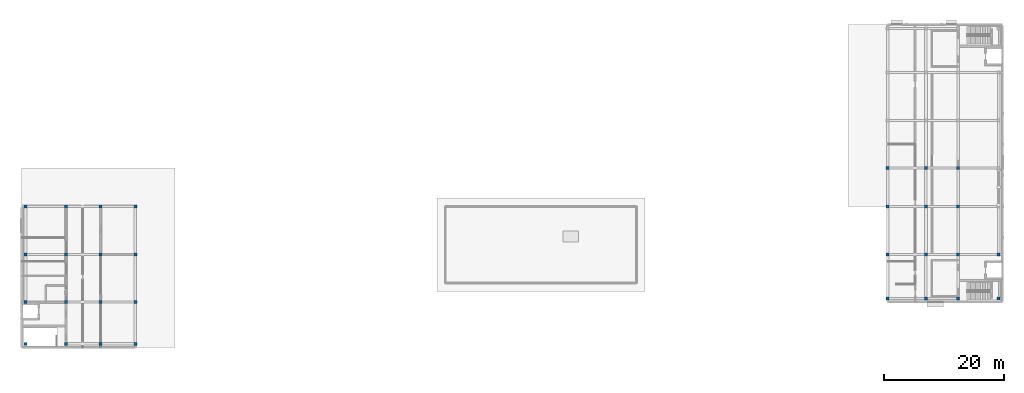
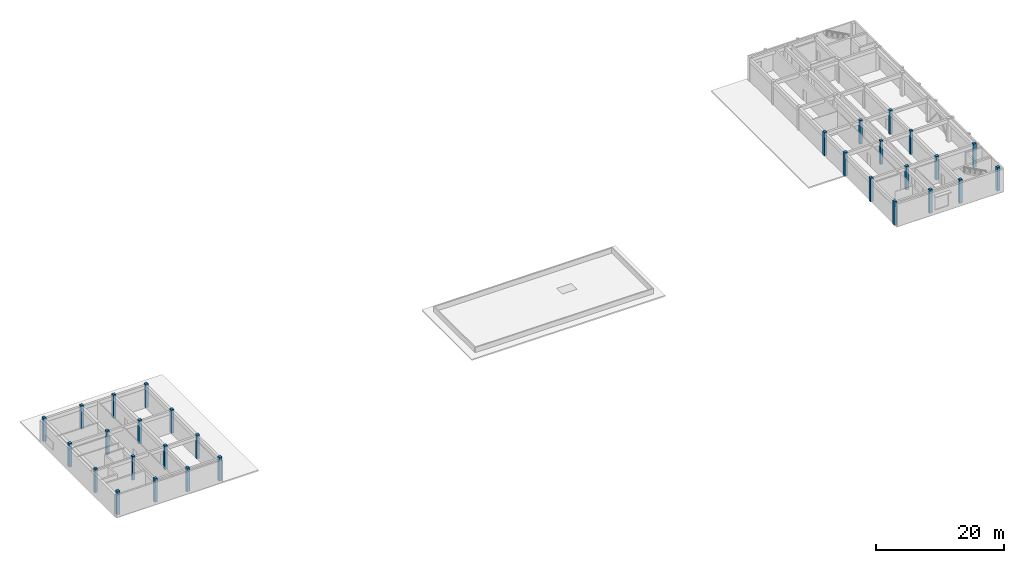
# One storey, part 1 of 11: 30 columns.
"""IFC4 building model written with IfcOpenShell, lengths in metres."""

from ifc_helpers import new_model, si_unit, direction, frame, origin, origin_2d, place, context, subcontext, project, spatial, rectangle, extrude, material, material_profile, profile_set, type_object, element, save


model = new_model("IFC4")

# Units and contexts
model_context = context("Model", 3, precision=1e-05, world=origin(), true_north=direction((0.0, 1.0)))
body_context = subcontext(model_context, "Body", "Model", "MODEL_VIEW")
ifc_project = project(units=[si_unit("LENGTHUNIT", "METRE"), si_unit("AREAUNIT", "SQUARE_METRE"), si_unit("VOLUMEUNIT", "CUBIC_METRE"), si_unit("PLANEANGLEUNIT", "RADIAN"), si_unit("MASSUNIT", "GRAM", prefix="KILO")], contexts=[model_context])

# Site, building, storey
site_placement = place(None, origin())
site = spatial("IfcSite", under=ifc_project, at=site_placement, CompositionType="ELEMENT")
building_placement = place(site_placement, origin())
building = spatial("IfcBuilding", under=site, at=building_placement, Name="Cinchona Park Media Centre", CompositionType="ELEMENT")
storey_placement = place(building_placement, frame((0.0, 0.0, 24.89990234375)))
storey = spatial("IfcBuildingStorey", under=building, at=storey_placement, Name="L05", CompositionType="ELEMENT", Elevation=24.89990234375)

# Columns
ifc_material = material(Name="Concrete C40/50", Category="concrete")
ifc_material_profile = material_profile(ifc_material, rectangle(XDim=0.5, YDim=0.5, at=origin_2d()), Name="RC 500X500")
ifc_profile_set = profile_set([ifc_material_profile], Name="Concrete C40/50")
column_type = type_object("IfcColumnType", Name="COL-C04-RC500X500", PredefinedType="COLUMN", material=ifc_profile_set)
for number, where, z_axis, x_axis, name in (
    (1, (8.639892578125, 64.639892578125, 0.0), (0.0, 0.0, 1.0), (1.0, 0.0, 0.0), "Column C04 L05"),
    (2, (8.639892578125, 71.60009765625, 0.0), (0.0, 0.0, 1.0), (1.0, 0.0, 0.0), "Column C04 L05"),
    (3, (8.639892578125, 79.60009765625, 0.0), (0.0, 0.0, 1.0), (1.0, 0.0, 0.0), "Column C04 L05"),
    (4, (8.639892578125, 87.60009765625, 0.0), (0.0, 0.0, 1.0), (1.0, 0.0, 0.0), "Column C04 L05"),
    (5, (15.39990234375, 64.639892578125, 0.0), (0.0, 0.0, 1.0), (1.0, 0.0, 0.0), "Column C04 L05"),
    (6, (15.39990234375, 71.60009765625, 0.0), (0.0, 0.0, 1.0), (1.0, 0.0, 0.0), "Column C04 L05"),
    (7, (15.39990234375, 79.60009765625, 0.0), (0.0, 0.0, 1.0), (1.0, 0.0, 0.0), "Column C04 L05"),
    (8, (15.39990234375, 87.60009765625, 0.0), (0.0, 0.0, 1.0), (1.0, 0.0, 0.0), "Column C04 L05"),
    (9, (21.199951171875, 64.639892578125, 0.0), (0.0, 0.0, 1.0), (1.0, 0.0, 0.0), "Column C04 L05"),
    (10, (21.199951171875, 71.60009765625, 0.0), (0.0, 0.0, 1.0), (1.0, 0.0, 0.0), "Column C04 L05"),
    (11, (21.199951171875, 79.60009765625, 0.0), (0.0, 0.0, 1.0), (1.0, 0.0, 0.0), "Column C04 L05"),
    (12, (21.199951171875, 87.60009765625, 0.0), (0.0, 0.0, 1.0), (1.0, 0.0, 0.0), "Column C04 L05"),
    (13, (27.0, 64.639892578125, 0.0), (0.0, 0.0, 1.0), (1.0, 0.0, 0.0), "Column C04 L05"),
    (14, (27.0, 71.60009765625, 0.0), (0.0, 0.0, 1.0), (1.0, 0.0, 0.0), "Column C04 L05"),
    (15, (27.0, 79.60009765625, 0.0), (0.0, 0.0, 1.0), (1.0, 0.0, 0.0), "Column C04 L05"),
    (16, (27.0, 87.60009765625, 0.0), (0.0, 0.0, 1.0), (1.0, 0.0, 0.0), "Column C04 L05"),
    (17, (152.800048828125, 72.239990234375, 0.0), (0.0, 0.0, 1.0), (1.0, 0.0, 0.0), "Column C04 L05"),
    (18, (152.800048828125, 79.60009765625, 0.0), (0.0, 0.0, 1.0), (1.0, 0.0, 0.0), "Column C04 L05"),
    (19, (152.800048828125, 87.60009765625, 0.0), (0.0, 0.0, 1.0), (1.0, 0.0, 0.0), "Column C04 L05"),
    (20, (152.800048828125, 94.0, 0.0), (0.0, 0.0, 1.0), (1.0, 0.0, 0.0), "Column C04 L05"),
    (21, (159.199951171875, 72.239990234375, 0.0), (0.0, 0.0, 1.0), (1.0, 0.0, 0.0), "Column C04 L05"),
    (22, (159.199951171875, 79.60009765625, 0.0), (0.0, 0.0, 1.0), (1.0, 0.0, 0.0), "Column C04 L05"),
    (23, (159.199951171875, 87.60009765625, 0.0), (0.0, 0.0, 1.0), (1.0, 0.0, 0.0), "Column C04 L05"),
    (24, (159.199951171875, 94.0, 0.0), (0.0, 0.0, 1.0), (1.0, 0.0, 0.0), "Column C04 L05"),
    (25, (164.60009765625, 72.239990234375, 0.0), (0.0, 0.0, 1.0), (1.0, 0.0, 0.0), "Column C04 L05"),
    (26, (164.60009765625, 79.60009765625, 0.0), (0.0, 0.0, 1.0), (1.0, 0.0, 0.0), "Column C04 L05"),
    (27, (164.60009765625, 87.60009765625, 0.0), (0.0, 0.0, 1.0), (1.0, 0.0, 0.0), "Column C04 L05"),
    (28, (164.60009765625, 94.0, 0.0), (0.0, 0.0, 1.0), (1.0, 0.0, 0.0), "Column C04 L05"),
    (29, (171.360107421875, 72.239990234375, 0.0), (0.0, 0.0, 1.0), (1.0, 0.0, 0.0), "Column C04 L05"),
    (30, (171.360107421875, 79.60009765625, 0.0), (0.0, 0.0, 1.0), (1.0, 0.0, 0.0), "Column C04 L05"),
):
    element("IfcColumn", number, at=place(storey_placement, frame(where, z_axis=z_axis, x_axis=x_axis)), inside=storey, type_object=column_type, Name=name, PredefinedType="COLUMN", context=body_context, shape_type="SweptSolid", body=[
        extrude(rectangle(XDim=0.5, YDim=0.5, at=origin_2d()), origin(), (0.0, 0.0, 1.0), 4.5),
    ])

save(model, "model.ifc")
